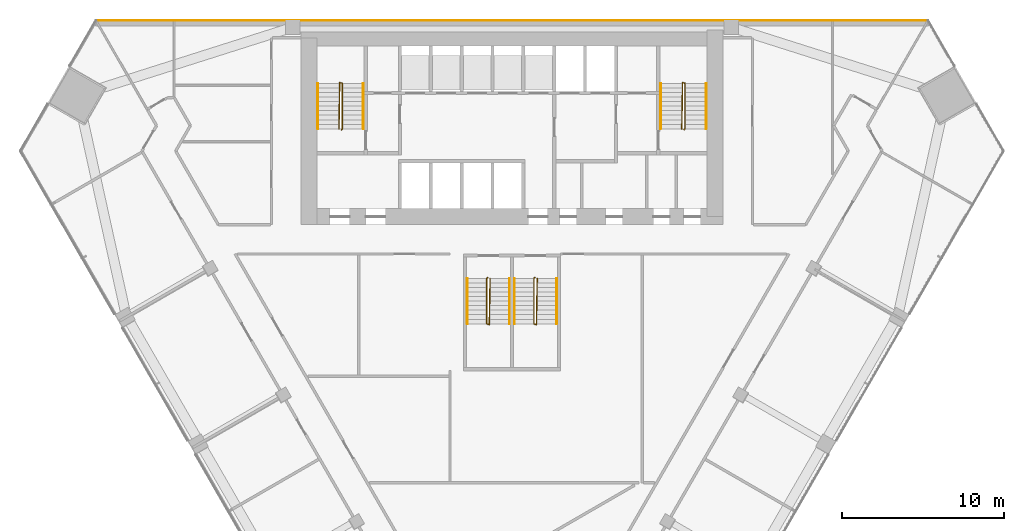
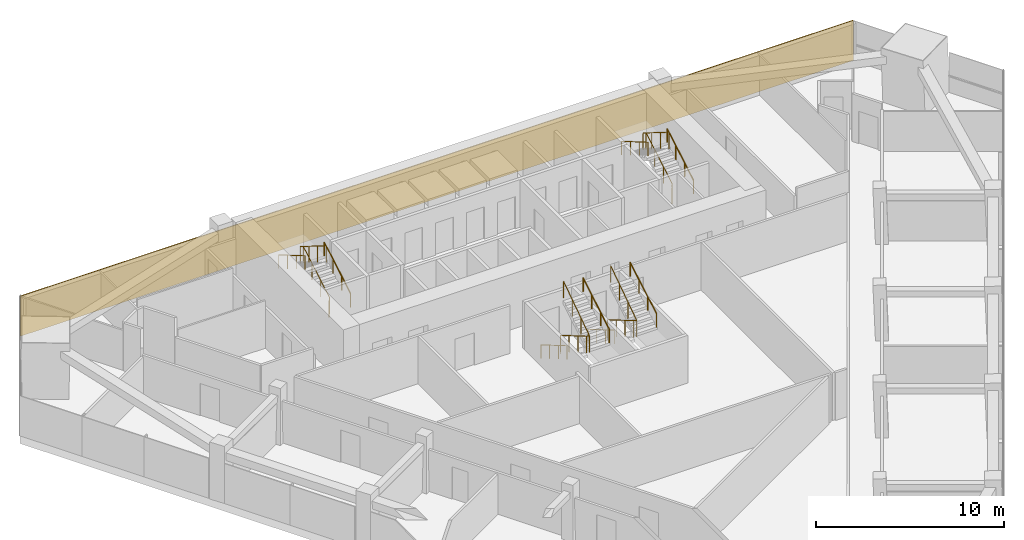
# One storey, part 12 of 13: 12 railings, 1 covering.
"""IFC4 building model written with IfcOpenShell, lengths in metres."""

from ifc_helpers import new_model, si_unit, direction, frame, frame_2d, origin, origin_2d, place, context, subcontext, project, spatial, rectangle, circle, extrude, material, layer, layer_set, type_object, element, save


model = new_model("IFC4")

# Units and contexts
model_context = context("Model", 3, precision=1e-05, world=origin(), true_north=direction((0.0, 1.0)))
body_context = subcontext(model_context, "Body", "Model", "MODEL_VIEW")
ifc_project = project(units=[si_unit("LENGTHUNIT", "METRE"), si_unit("AREAUNIT", "SQUARE_METRE"), si_unit("VOLUMEUNIT", "CUBIC_METRE"), si_unit("PLANEANGLEUNIT", "RADIAN"), si_unit("MASSUNIT", "GRAM", prefix="KILO")], contexts=[model_context])

# Site, building, storey
site_placement = place(None, origin())
site = spatial("IfcSite", under=ifc_project, at=site_placement, CompositionType="ELEMENT")
building_placement = place(site_placement, origin())
building = spatial("IfcBuilding", under=site, at=building_placement, Name="Altiplano Prism Tower", CompositionType="ELEMENT")
storey_placement = place(building_placement, frame((0.0, 0.0, 59.39990234375)))
storey = spatial("IfcBuildingStorey", under=building, at=storey_placement, Name="L14", CompositionType="ELEMENT", Elevation=59.39990234375)

# Railings
ifc_material_1 = material(Name="Steel S355", Category="steel")
railing_type_1 = type_object("IfcRailingType", Name="Stair guard 1100", PredefinedType="GUARDRAIL", material=ifc_material_1)
railing_1_placement = place(storey_placement, frame((74.5, 98.25, 0.0)))
element("IfcRailing", 1, at=railing_1_placement, inside=storey, type_object=railing_type_1, Name="L14 ST1 stair guard 1", PredefinedType="GUARDRAIL", context=body_context, shape_type="SweptSolid", body=[
    extrude(circle(Radius=0.02392578125, at=origin_2d()), frame((0.0, 0.0, 1.076171875), z_axis=(0.280456126637, 0.280456126637, 0.917980785237), x_axis=(-0.707106781187, 0.707106781187, 0.0)), (0.0, 0.0, 1.0), 0.178466796875),
    extrude(circle(Radius=0.02392578125, at=origin_2d()), frame((0.050048828125, 0.050048828125, 1.23974609375), z_axis=(0.0, 0.863393664356, 0.504530851732), x_axis=(-1.0, 0.0, 0.0)), (0.0, 0.0, 1.0), 3.2431640625),
    extrude(circle(Radius=0.02392578125, at=origin_2d()), frame((0.050048828125, 2.85009765625, 2.8759765625), z_axis=(-0.949145278916, 0.314838433982, 0.0), x_axis=(-0.314838433982, -0.949145278916, 0.0)), (0.0, 0.0, 1.0), 0.158203125),
    extrude(circle(Radius=0.02392578125, at=origin_2d()), frame((-0.10009765625, 2.89990234375, 2.8759765625), z_axis=(-0.01477401265, -0.845377694409, 0.533964682676), x_axis=(0.999847325713, -0.01747355902, 0.0)), (0.0, 0.0, 1.0), 3.37109375),
    extrude(circle(Radius=0.02099609375, at=origin_2d()), origin(), (0.0, 0.0, 1.0), 1.052001953125),
    extrude(circle(Radius=0.02099609375, at=origin_2d()), frame((0.050048828125, 0.050048828125, 0.163818359375)), (0.0, 0.0, 1.0), 1.052001953125),
    extrude(circle(Radius=0.02099609375, at=origin_2d()), frame((0.050048828125, 0.9833984375, 0.709228515625)), (0.0, 0.0, 1.0), 1.052001953125),
    extrude(circle(Radius=0.02099609375, at=origin_2d()), frame((0.050048828125, 1.916748046875, 1.254638671875)), (0.0, 0.0, 1.0), 1.052001953125),
    extrude(circle(Radius=0.02099609375, at=origin_2d()), frame((0.050048828125, 2.85009765625, 1.800048828125)), (0.0, 0.0, 1.0), 1.052001953125),
    extrude(circle(Radius=0.02099609375, at=origin_2d()), frame((-0.10009765625, 2.89990234375, 1.800048828125)), (0.0, 0.0, 1.0), 1.052001953125),
    extrude(circle(Radius=0.02099609375, at=origin_2d()), frame((-0.11669921875, 1.949951171875, 2.400146484375)), (0.0, 0.0, 1.0), 1.052001953125),
    extrude(circle(Radius=0.02099609375, at=origin_2d()), frame((-0.13330078125, 1.0, 3.0)), (0.0, 0.0, 1.0), 1.052001953125),
    extrude(circle(Radius=0.02099609375, at=origin_2d()), frame((-0.14990234375, 0.050048828125, 3.60009765625)), (0.0, 0.0, 1.0), 1.052001953125),
])
railing_2_placement = place(storey_placement, frame((95.60009765625, 98.25, 0.0)))
element("IfcRailing", 2, at=railing_2_placement, inside=storey, type_object=railing_type_1, Name="L14 ST2 stair guard 1", PredefinedType="GUARDRAIL", context=body_context, shape_type="SweptSolid", body=[
    extrude(circle(Radius=0.02392578125, at=origin_2d()), frame((0.0, 0.0, 1.076171875), z_axis=(0.279194930351, 0.280563532951, 0.91833234444), x_axis=(-0.708833529934, 0.705375805398, 0.0)), (0.0, 0.0, 1.0), 0.178466796875),
    extrude(circle(Radius=0.02392578125, at=origin_2d()), frame((0.0498046875, 0.050048828125, 1.23974609375), z_axis=(0.0, 0.863393664356, 0.504530851732), x_axis=(-1.0, 0.0, 0.0)), (0.0, 0.0, 1.0), 3.2431640625),
    extrude(circle(Radius=0.02392578125, at=origin_2d()), frame((0.0498046875, 2.85009765625, 2.8759765625), z_axis=(-0.948991962702, 0.315300261223, 0.0), x_axis=(-0.315300261223, -0.948991962702, 0.0)), (0.0, 0.0, 1.0), 0.157958984375),
    extrude(circle(Radius=0.02392578125, at=origin_2d()), frame((-0.10009765625, 2.89990234375, 2.8759765625), z_axis=(-0.014846418356, -0.845376787675, 0.533964109957), x_axis=(0.999845825584, -0.017559187376, 0.0)), (0.0, 0.0, 1.0), 3.37109375),
    extrude(circle(Radius=0.02099609375, at=origin_2d()), origin(), (0.0, 0.0, 1.0), 1.052001953125),
    extrude(circle(Radius=0.02099609375, at=origin_2d()), frame((0.0498046875, 0.050048828125, 0.163818359375)), (0.0, 0.0, 1.0), 1.052001953125),
    extrude(circle(Radius=0.02099609375, at=origin_2d()), frame((0.0498046875, 0.9833984375, 0.709228515625)), (0.0, 0.0, 1.0), 1.052001953125),
    extrude(circle(Radius=0.02099609375, at=origin_2d()), frame((0.0498046875, 1.916748046875, 1.254638671875)), (0.0, 0.0, 1.0), 1.052001953125),
    extrude(circle(Radius=0.02099609375, at=origin_2d()), frame((0.0498046875, 2.85009765625, 1.800048828125)), (0.0, 0.0, 1.0), 1.052001953125),
    extrude(circle(Radius=0.02099609375, at=origin_2d()), frame((-0.10009765625, 2.89990234375, 1.800048828125)), (0.0, 0.0, 1.0), 1.052001953125),
    extrude(circle(Radius=0.02099609375, at=origin_2d()), frame((-0.11669921875, 1.949951171875, 2.400146484375)), (0.0, 0.0, 1.0), 1.052001953125),
    extrude(circle(Radius=0.02099609375, at=origin_2d()), frame((-0.133544921875, 1.0, 3.0)), (0.0, 0.0, 1.0), 1.052001953125),
    extrude(circle(Radius=0.02099609375, at=origin_2d()), frame((-0.150146484375, 0.050048828125, 3.60009765625)), (0.0, 0.0, 1.0), 1.052001953125),
])
railing_3_placement = place(storey_placement, frame((83.5, 89.14990234375, 0.0)))
element("IfcRailing", 3, at=railing_3_placement, inside=storey, type_object=railing_type_1, Name="L14 ST3A stair guard 1", PredefinedType="GUARDRAIL", context=body_context, shape_type="SweptSolid", body=[
    extrude(circle(Radius=0.02392578125, at=origin_2d()), frame((0.0, 0.0, 1.076171875), z_axis=(-0.280563532951, -0.279194930351, 0.91833234444), x_axis=(0.705375805398, -0.708833529934, 0.0)), (0.0, 0.0, 1.0), 0.178466796875),
    extrude(circle(Radius=0.02392578125, at=origin_2d()), frame((-0.050048828125, -0.0498046875, 1.23974609375), z_axis=(0.0, -0.863393664356, 0.504530851732), x_axis=(1.0, 0.0, 0.0)), (0.0, 0.0, 1.0), 3.2431640625),
    extrude(circle(Radius=0.02392578125, at=origin_2d()), frame((-0.050048828125, -2.849853515625, 2.8759765625), z_axis=(0.948683298051, -0.316227766017, 0.0), x_axis=(0.316227766017, 0.948683298051, 0.0)), (0.0, 0.0, 1.0), 0.158203125),
    extrude(circle(Radius=0.02392578125, at=origin_2d()), frame((0.10009765625, -2.89990234375, 2.8759765625), z_axis=(0.014773108175, 0.84539835705, 0.533931993021), x_axis=(-0.999847351862, 0.017472062685, 0.0)), (0.0, 0.0, 1.0), 3.371337890625),
    extrude(circle(Radius=0.02099609375, at=origin_2d()), origin(), (0.0, 0.0, 1.0), 1.052001953125),
    extrude(circle(Radius=0.02099609375, at=origin_2d()), frame((-0.050048828125, -0.0498046875, 0.163818359375)), (0.0, 0.0, 1.0), 1.052001953125),
    extrude(circle(Radius=0.02099609375, at=origin_2d()), frame((-0.050048828125, -0.983154296875, 0.709228515625)), (0.0, 0.0, 1.0), 1.052001953125),
    extrude(circle(Radius=0.02099609375, at=origin_2d()), frame((-0.050048828125, -1.91650390625, 1.254638671875)), (0.0, 0.0, 1.0), 1.052001953125),
    extrude(circle(Radius=0.02099609375, at=origin_2d()), frame((-0.050048828125, -2.849853515625, 1.800048828125)), (0.0, 0.0, 1.0), 1.052001953125),
    extrude(circle(Radius=0.02099609375, at=origin_2d()), frame((0.10009765625, -2.89990234375, 1.800048828125)), (0.0, 0.0, 1.0), 1.052001953125),
    extrude(circle(Radius=0.02099609375, at=origin_2d()), frame((0.11669921875, -1.949951171875, 2.400146484375)), (0.0, 0.0, 1.0), 1.052001953125),
    extrude(circle(Radius=0.02099609375, at=origin_2d()), frame((0.13330078125, -0.999755859375, 3.0)), (0.0, 0.0, 1.0), 1.052001953125),
    extrude(circle(Radius=0.02099609375, at=origin_2d()), frame((0.14990234375, -0.0498046875, 3.60009765625)), (0.0, 0.0, 1.0), 1.052001953125),
])
railing_4_placement = place(storey_placement, frame((86.39990234375, 89.14990234375, 0.0)))
element("IfcRailing", 4, at=railing_4_placement, inside=storey, type_object=railing_type_1, Name="L14 ST3B stair guard 1", PredefinedType="GUARDRAIL", context=body_context, shape_type="SweptSolid", body=[
    extrude(circle(Radius=0.02392578125, at=origin_2d()), frame((0.0, 0.0, 1.076171875), z_axis=(-0.279301935624, -0.279301935624, 0.918684307863), x_axis=(0.707106781187, -0.707106781187, 0.0)), (0.0, 0.0, 1.0), 0.17822265625),
    extrude(circle(Radius=0.02392578125, at=origin_2d()), frame((-0.0498046875, -0.0498046875, 1.23974609375), z_axis=(0.0, -0.863393664356, 0.504530851732), x_axis=(1.0, 0.0, 0.0)), (0.0, 0.0, 1.0), 3.2431640625),
    extrude(circle(Radius=0.02392578125, at=origin_2d()), frame((-0.0498046875, -2.849853515625, 2.8759765625), z_axis=(0.948528701346, -0.316691178788, 0.0), x_axis=(0.316691178788, 0.948528701346, 0.0)), (0.0, 0.0, 1.0), 0.157958984375),
    extrude(circle(Radius=0.02392578125, at=origin_2d()), frame((0.10009765625, -2.89990234375, 2.8759765625), z_axis=(0.014845509451, 0.845397450405, 0.533931420407), x_axis=(-0.999845851991, 0.017557683712, 0.0)), (0.0, 0.0, 1.0), 3.371337890625),
    extrude(circle(Radius=0.02099609375, at=origin_2d()), origin(), (0.0, 0.0, 1.0), 1.052001953125),
    extrude(circle(Radius=0.02099609375, at=origin_2d()), frame((-0.0498046875, -0.0498046875, 0.163818359375)), (0.0, 0.0, 1.0), 1.052001953125),
    extrude(circle(Radius=0.02099609375, at=origin_2d()), frame((-0.0498046875, -0.983154296875, 0.709228515625)), (0.0, 0.0, 1.0), 1.052001953125),
    extrude(circle(Radius=0.02099609375, at=origin_2d()), frame((-0.0498046875, -1.91650390625, 1.254638671875)), (0.0, 0.0, 1.0), 1.052001953125),
    extrude(circle(Radius=0.02099609375, at=origin_2d()), frame((-0.0498046875, -2.849853515625, 1.800048828125)), (0.0, 0.0, 1.0), 1.052001953125),
    extrude(circle(Radius=0.02099609375, at=origin_2d()), frame((0.10009765625, -2.89990234375, 1.800048828125)), (0.0, 0.0, 1.0), 1.052001953125),
    extrude(circle(Radius=0.02099609375, at=origin_2d()), frame((0.11669921875, -1.949951171875, 2.400146484375)), (0.0, 0.0, 1.0), 1.052001953125),
    extrude(circle(Radius=0.02099609375, at=origin_2d()), frame((0.133544921875, -0.999755859375, 3.0)), (0.0, 0.0, 1.0), 1.052001953125),
    extrude(circle(Radius=0.02099609375, at=origin_2d()), frame((0.150146484375, -0.0498046875, 3.60009765625)), (0.0, 0.0, 1.0), 1.052001953125),
])
railing_type_2 = type_object("IfcRailingType", Name="Stair handrail 900", PredefinedType="HANDRAIL", material=ifc_material_1)
railing_5_placement = place(storey_placement, frame((75.85009765625, 98.300048828125, 0.163818359375)))
element("IfcRailing", 5, at=railing_5_placement, inside=storey, type_object=railing_type_2, Name="L14 ST1 stair handrail 1", PredefinedType="HANDRAIL", context=body_context, shape_type="SweptSolid", body=[
    extrude(circle(Radius=0.02392578125, at=origin_2d()), frame((0.0, 0.0, 0.8759765625), z_axis=(0.0, 0.863393664356, 0.504530851732), x_axis=(-1.0, 0.0, 0.0)), (0.0, 0.0, 1.0), 3.2431640625),
    extrude(circle(Radius=0.02099609375, at=origin_2d()), origin(), (0.0, 0.0, 1.0), 0.851806640625),
    extrude(circle(Radius=0.02099609375, at=origin_2d()), frame((0.0, 0.933349609375, 0.54541015625)), (0.0, 0.0, 1.0), 0.851806640625),
    extrude(circle(Radius=0.02099609375, at=origin_2d()), frame((0.0, 1.86669921875, 1.0908203125)), (0.0, 0.0, 1.0), 0.851806640625),
    extrude(circle(Radius=0.02099609375, at=origin_2d()), frame((0.0, 2.800048828125, 1.63623046875)), (0.0, 0.0, 1.0), 0.851806640625),
])
railing_6_placement = place(storey_placement, frame((73.050048828125, 101.10009765625, 1.963623046875)))
element("IfcRailing", 6, at=railing_6_placement, inside=storey, type_object=railing_type_2, Name="L14 ST1 stair handrail 2", PredefinedType="HANDRAIL", context=body_context, shape_type="SweptSolid", body=[
    extrude(circle(Radius=0.02392578125, at=origin_2d()), frame((0.0, 0.0, 0.8759765625), z_axis=(0.0, -0.863360870873, 0.504586966384), x_axis=(1.0, 0.0, 0.0)), (0.0, 0.0, 1.0), 3.2431640625),
    extrude(circle(Radius=0.02099609375, at=origin_2d()), origin(), (0.0, 0.0, 1.0), 0.851806640625),
    extrude(circle(Radius=0.02099609375, at=origin_2d()), frame((0.0, -0.933349609375, 0.54541015625)), (0.0, 0.0, 1.0), 0.851806640625),
    extrude(circle(Radius=0.02099609375, at=origin_2d()), frame((0.0, -1.86669921875, 1.091064453125)), (0.0, 0.0, 1.0), 0.851806640625),
    extrude(circle(Radius=0.02099609375, at=origin_2d()), frame((0.0, -2.800048828125, 1.636474609375)), (0.0, 0.0, 1.0), 0.851806640625),
])
railing_7_placement = place(storey_placement, frame((96.949951171875, 98.300048828125, 0.163818359375)))
element("IfcRailing", 7, at=railing_7_placement, inside=storey, type_object=railing_type_2, Name="L14 ST2 stair handrail 1", PredefinedType="HANDRAIL", context=body_context, shape_type="SweptSolid", body=[
    extrude(circle(Radius=0.02392578125, at=origin_2d()), frame((0.0, 0.0, 0.8759765625), z_axis=(0.0, 0.863393664356, 0.504530851732), x_axis=(-1.0, 0.0, 0.0)), (0.0, 0.0, 1.0), 3.2431640625),
    extrude(circle(Radius=0.02099609375, at=origin_2d()), origin(), (0.0, 0.0, 1.0), 0.851806640625),
    extrude(circle(Radius=0.02099609375, at=origin_2d()), frame((0.0, 0.933349609375, 0.54541015625)), (0.0, 0.0, 1.0), 0.851806640625),
    extrude(circle(Radius=0.02099609375, at=origin_2d()), frame((0.0, 1.86669921875, 1.0908203125)), (0.0, 0.0, 1.0), 0.851806640625),
    extrude(circle(Radius=0.02099609375, at=origin_2d()), frame((0.0, 2.800048828125, 1.63623046875)), (0.0, 0.0, 1.0), 0.851806640625),
])
railing_8_placement = place(storey_placement, frame((94.14990234375, 101.10009765625, 1.963623046875)))
element("IfcRailing", 8, at=railing_8_placement, inside=storey, type_object=railing_type_2, Name="L14 ST2 stair handrail 2", PredefinedType="HANDRAIL", context=body_context, shape_type="SweptSolid", body=[
    extrude(circle(Radius=0.02392578125, at=origin_2d()), frame((0.0, 0.0, 0.8759765625), z_axis=(0.0, -0.863360870873, 0.504586966384), x_axis=(1.0, 0.0, 0.0)), (0.0, 0.0, 1.0), 3.2431640625),
    extrude(circle(Radius=0.02099609375, at=origin_2d()), origin(), (0.0, 0.0, 1.0), 0.851806640625),
    extrude(circle(Radius=0.02099609375, at=origin_2d()), frame((0.0, -0.933349609375, 0.54541015625)), (0.0, 0.0, 1.0), 0.851806640625),
    extrude(circle(Radius=0.02099609375, at=origin_2d()), frame((0.0, -1.86669921875, 1.091064453125)), (0.0, 0.0, 1.0), 0.851806640625),
    extrude(circle(Radius=0.02099609375, at=origin_2d()), frame((0.0, -2.800048828125, 1.636474609375)), (0.0, 0.0, 1.0), 0.851806640625),
])
railing_9_placement = place(storey_placement, frame((82.25, 89.10009765625, 0.163818359375)))
element("IfcRailing", 9, at=railing_9_placement, inside=storey, type_object=railing_type_2, Name="L14 ST3A stair handrail 1", PredefinedType="HANDRAIL", context=body_context, shape_type="SweptSolid", body=[
    extrude(circle(Radius=0.02392578125, at=origin_2d()), frame((0.0, 0.0, 0.8759765625), z_axis=(0.0, -0.863393664356, 0.504530851732), x_axis=(1.0, 0.0, 0.0)), (0.0, 0.0, 1.0), 3.2431640625),
    extrude(circle(Radius=0.02099609375, at=origin_2d()), origin(), (0.0, 0.0, 1.0), 0.851806640625),
    extrude(circle(Radius=0.02099609375, at=origin_2d()), frame((0.0, -0.933349609375, 0.54541015625)), (0.0, 0.0, 1.0), 0.851806640625),
    extrude(circle(Radius=0.02099609375, at=origin_2d()), frame((0.0, -1.86669921875, 1.0908203125)), (0.0, 0.0, 1.0), 0.851806640625),
    extrude(circle(Radius=0.02099609375, at=origin_2d()), frame((0.0, -2.800048828125, 1.63623046875)), (0.0, 0.0, 1.0), 0.851806640625),
])
railing_10_placement = place(storey_placement, frame((84.85009765625, 86.300048828125, 1.963623046875)))
element("IfcRailing", 10, at=railing_10_placement, inside=storey, type_object=railing_type_2, Name="L14 ST3A stair handrail 2", PredefinedType="HANDRAIL", context=body_context, shape_type="SweptSolid", body=[
    extrude(circle(Radius=0.02392578125, at=origin_2d()), frame((0.0, 0.0, 0.8759765625), z_axis=(0.0, 0.863360870873, 0.504586966384), x_axis=(-1.0, 0.0, 0.0)), (0.0, 0.0, 1.0), 3.2431640625),
    extrude(circle(Radius=0.02099609375, at=origin_2d()), origin(), (0.0, 0.0, 1.0), 0.851806640625),
    extrude(circle(Radius=0.02099609375, at=origin_2d()), frame((0.0, 0.933349609375, 0.54541015625)), (0.0, 0.0, 1.0), 0.851806640625),
    extrude(circle(Radius=0.02099609375, at=origin_2d()), frame((0.0, 1.86669921875, 1.091064453125)), (0.0, 0.0, 1.0), 0.851806640625),
    extrude(circle(Radius=0.02099609375, at=origin_2d()), frame((0.0, 2.800048828125, 1.636474609375)), (0.0, 0.0, 1.0), 0.851806640625),
])
railing_11_placement = place(storey_placement, frame((85.14990234375, 89.10009765625, 0.163818359375)))
element("IfcRailing", 11, at=railing_11_placement, inside=storey, type_object=railing_type_2, Name="L14 ST3B stair handrail 1", PredefinedType="HANDRAIL", context=body_context, shape_type="SweptSolid", body=[
    extrude(circle(Radius=0.02392578125, at=origin_2d()), frame((0.0, 0.0, 0.8759765625), z_axis=(0.0, -0.863393664356, 0.504530851732), x_axis=(1.0, 0.0, 0.0)), (0.0, 0.0, 1.0), 3.2431640625),
    extrude(circle(Radius=0.02099609375, at=origin_2d()), origin(), (0.0, 0.0, 1.0), 0.851806640625),
    extrude(circle(Radius=0.02099609375, at=origin_2d()), frame((0.0, -0.933349609375, 0.54541015625)), (0.0, 0.0, 1.0), 0.851806640625),
    extrude(circle(Radius=0.02099609375, at=origin_2d()), frame((0.0, -1.86669921875, 1.0908203125)), (0.0, 0.0, 1.0), 0.851806640625),
    extrude(circle(Radius=0.02099609375, at=origin_2d()), frame((0.0, -2.800048828125, 1.63623046875)), (0.0, 0.0, 1.0), 0.851806640625),
])
railing_12_placement = place(storey_placement, frame((87.75, 86.300048828125, 1.963623046875)))
element("IfcRailing", 12, at=railing_12_placement, inside=storey, type_object=railing_type_2, Name="L14 ST3B stair handrail 2", PredefinedType="HANDRAIL", context=body_context, shape_type="SweptSolid", body=[
    extrude(circle(Radius=0.02392578125, at=origin_2d()), frame((0.0, 0.0, 0.8759765625), z_axis=(0.0, 0.863360870873, 0.504586966384), x_axis=(-1.0, 0.0, 0.0)), (0.0, 0.0, 1.0), 3.2431640625),
    extrude(circle(Radius=0.02099609375, at=origin_2d()), origin(), (0.0, 0.0, 1.0), 0.851806640625),
    extrude(circle(Radius=0.02099609375, at=origin_2d()), frame((0.0, 0.933349609375, 0.54541015625)), (0.0, 0.0, 1.0), 0.851806640625),
    extrude(circle(Radius=0.02099609375, at=origin_2d()), frame((0.0, 1.86669921875, 1.091064453125)), (0.0, 0.0, 1.0), 0.851806640625),
    extrude(circle(Radius=0.02099609375, at=origin_2d()), frame((0.0, 2.800048828125, 1.636474609375)), (0.0, 0.0, 1.0), 0.851806640625),
])

# Covering
ifc_material_2 = material(Name="Warm limestone cast stone", Category="masonry")
ifc_layer = layer(ifc_material_2, 0.06005859375)
ifc_layer_set = layer_set([ifc_layer], Name="Warm limestone cast stone")
covering_type = type_object("IfcCoveringType", Name="Stone cladding 60", PredefinedType="CLADDING", material=ifc_layer_set)
covering_placement = place(storey_placement, frame((59.3740234375, 104.969970703125, 0.0), z_axis=(0.0, 0.0, 1.0), x_axis=(1.0, 0.0, 0.0)))
element("IfcCovering", 13, at=covering_placement, inside=storey, type_object=covering_type, Name="Stone cladding north face L14", PredefinedType="CLADDING", context=body_context, shape_type="SweptSolid", body=[
    extrude(rectangle(XDim=51.251953125, YDim=0.06005859375, at=frame_2d((25.6259765625, 0.0))), origin(), (0.0, 0.0, 1.0), 2.60009765625),
])

save(model, "model.ifc")
